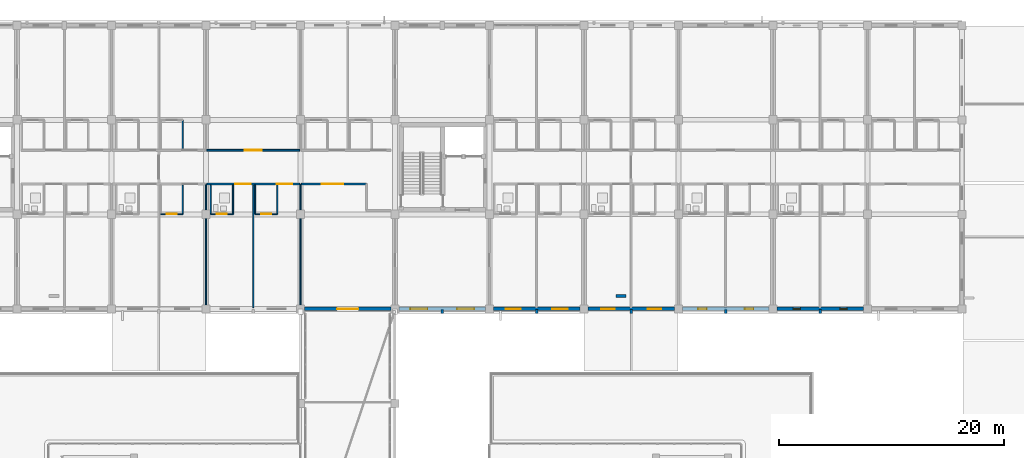
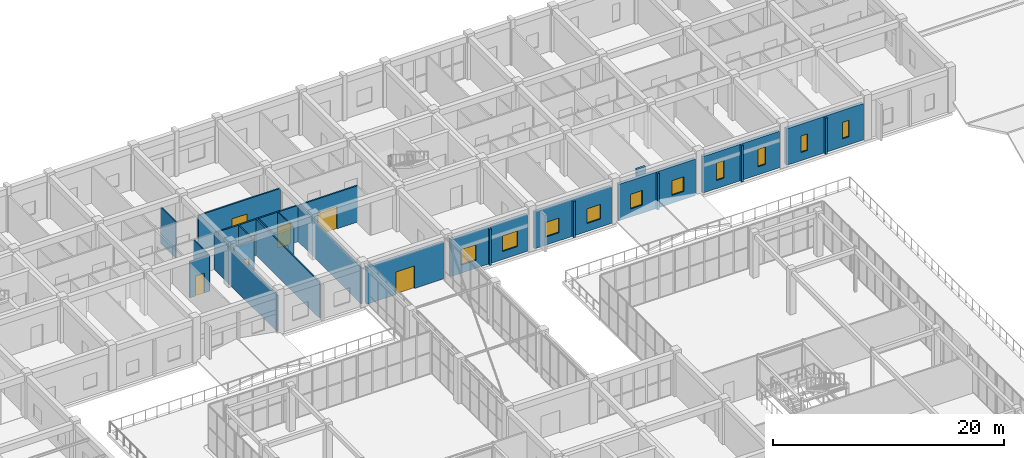
# One storey, part 130 of 158: 27 walls, 10 windows, 8 doors, 18 openings.
"""IFC4 building model written with IfcOpenShell, lengths in metres."""

from ifc_helpers import new_model, si_unit, direction, frame, frame_2d, origin, place, context, subcontext, project, spatial, rectangle, extrude, material, layer, layer_set, type_object, element, fill, save


model = new_model("IFC4")

# Units and contexts
model_context = context("Model", 3, precision=1e-05, world=origin(), true_north=direction((0.0, 1.0)))
body_context = subcontext(model_context, "Body", "Model", "MODEL_VIEW")
ifc_project = project(units=[si_unit("LENGTHUNIT", "METRE"), si_unit("AREAUNIT", "SQUARE_METRE"), si_unit("VOLUMEUNIT", "CUBIC_METRE"), si_unit("PLANEANGLEUNIT", "RADIAN"), si_unit("MASSUNIT", "GRAM", prefix="KILO")], contexts=[model_context])

# Site, building, storey
site_placement = place(None, origin())
site = spatial("IfcSite", under=ifc_project, at=site_placement, CompositionType="ELEMENT")
building_placement = place(site_placement, origin())
building = spatial("IfcBuilding", under=site, at=building_placement, Name="Trelvath General Hospital", CompositionType="ELEMENT")
storey_placement = place(building_placement, frame((0.0, 0.0, 8.10009765625)))
storey = spatial("IfcBuildingStorey", under=building, at=storey_placement, Name="L02", CompositionType="ELEMENT", Elevation=8.10009765625)

# Walls
ifc_material_1 = material(Name="Precast concrete C40/50", Category="concrete")
ifc_layer_1 = layer(ifc_material_1, 0.199951171875)
ifc_layer_set_1 = layer_set([ifc_layer_1], Name="Precast concrete C40/50")
wall_type_1 = type_object("IfcWallType", Name="BriseSoleilRib 200", PredefinedType="ELEMENTEDWALL", material=ifc_layer_set_1)
for number, where, z_axis, x_axis, name in (
    (1, (88.199951171875, 92.324951171875, 0.0), (0.0, 0.0, 1.0), (0.0, -1.0, 0.0), "Precast Concrete Brise-Soleil Rib Fin L02-203"),
    (2, (96.60009765625, 92.324951171875, 0.0), (0.0, 0.0, 1.0), (0.0, -1.0, 0.0), "Precast Concrete Brise-Soleil Rib Fin L02-206"),
    (3, (105.0, 92.324951171875, 0.0), (0.0, 0.0, 1.0), (0.0, -1.0, 0.0), "Precast Concrete Brise-Soleil Rib Fin L02-209"),
    (4, (113.39990234375, 92.324951171875, 0.0), (0.0, 0.0, 1.0), (0.0, -1.0, 0.0), "Precast Concrete Brise-Soleil Rib Fin L02-213"),
    (5, (121.800048828125, 92.324951171875, 0.0), (0.0, 0.0, 1.0), (0.0, -1.0, 0.0), "Precast Concrete Brise-Soleil Rib Fin L02-217"),
):
    element("IfcWall", number, at=place(storey_placement, frame(where, z_axis=z_axis, x_axis=x_axis)), inside=storey, type_object=wall_type_1, Name=name, PredefinedType="ELEMENTEDWALL", context=body_context, shape_type="SweptSolid", body=[
        extrude(rectangle(XDim=0.33984375, YDim=0.199951171875, at=frame_2d((0.169921875, 0.0))), origin(), (0.0, 0.0, 1.0), 3.83984375),
    ])

# Wall, openings, doors
ifc_material_2 = material(Name="Gypsum acoustic steel-stud partition", Category="steel")
ifc_layer_2 = layer(ifc_material_2, 0.14990234375)
ifc_layer_set_2 = layer_set([ifc_layer_2], Name="Gypsum acoustic steel-stud partition")
wall_type_2 = type_object("IfcWallType", Name="ClinicalPartition 150", PredefinedType="PARTITIONING", material=ifc_layer_set_2)
wall_1_placement = place(storey_placement, frame((67.280029296875, 103.5, 0.0), z_axis=(0.0, 0.0, 1.0), x_axis=(1.0, 0.0, 0.0)))
wall_1 = element("IfcWall", 6, at=wall_1_placement, inside=storey, type_object=wall_type_2, Name="Corridor Partition L02-923", PredefinedType="PARTITIONING", context=body_context, shape_type="SweptSolid", body=[
    extrude(rectangle(XDim=8.239990234375, YDim=0.14990234375, at=frame_2d((4.1201171875, 0.0))), origin(), (0.0, 0.0, 1.0), 3.83984375),
])
opening_1_placement = place(wall_1_placement, frame((2.530029296875, 0.0, 0.0)))
opening_1 = element("IfcOpeningElement", 7, at=opening_1_placement, cuts=wall_1, Name="Opening D-2-0747", PredefinedType="OPENING", context=body_context, shape_type="SweptSolid", body=[
    extrude(rectangle(XDim=1.35009765625, YDim=2.25, at=frame_2d((0.675048828125, 1.125))), frame((0.0, 0.0849609375, 0.0), z_axis=(0.0, -1.0, 0.0), x_axis=(1.0, 0.0, 0.0)), (0.0, 0.0, 1.0), 0.169921875),
])
opening_2_placement = place(wall_1_placement, frame((6.22998046875, 0.0, 0.0)))
opening_2 = element("IfcOpeningElement", 8, at=opening_2_placement, cuts=wall_1, Name="Opening D-2-0748", PredefinedType="OPENING", context=body_context, shape_type="SweptSolid", body=[
    extrude(rectangle(XDim=1.35009765625, YDim=2.25, at=frame_2d((0.675048828125, 1.125))), frame((0.0, 0.0849609375, 0.0), z_axis=(0.0, -1.0, 0.0), x_axis=(1.0, 0.0, 0.0)), (0.0, 0.0, 1.0), 0.169921875),
])
ifc_material_3 = material(Name="Airtight isolation bed door")
door_type_1 = type_object("IfcDoorType", Name="Door PatientIso 1350x2250", OperationType="NOTDEFINED", PredefinedType="DOOR", material=ifc_material_3)
door_1_placement = place(opening_1_placement, origin())
door_1 = element("IfcDoor", 9, at=door_1_placement, inside=storey, type_object=door_type_1, Name="Patient Room Door L02-747", OperationType="SINGLE_SWING_LEFT", OverallHeight=2.25, OverallWidth=1.35009765625, PredefinedType="DOOR", context=body_context, shape_type="SweptSolid", body=[
    extrude(rectangle(XDim=1.35009765625, YDim=2.25, at=frame_2d((0.675048828125, 1.125))), frame((0.0, 0.02490234375, 0.0), z_axis=(0.0, -1.0, 0.0), x_axis=(1.0, 0.0, 0.0)), (0.0, 0.0, 1.0), 0.050048828125),
])
fill(opening_1, door_1)
door_2_placement = place(opening_2_placement, origin())
door_2 = element("IfcDoor", 10, at=door_2_placement, inside=storey, type_object=door_type_1, Name="Patient Room Door L02-748", OperationType="SINGLE_SWING_RIGHT", OverallHeight=2.25, OverallWidth=1.35009765625, PredefinedType="DOOR", context=body_context, shape_type="SweptSolid", body=[
    extrude(rectangle(XDim=1.35009765625, YDim=2.25, at=frame_2d((0.675048828125, 1.125))), frame((0.0, 0.02490234375, 0.0), z_axis=(0.0, -1.0, 0.0), x_axis=(1.0, 0.0, 0.0)), (0.0, 0.0, 1.0), 0.050048828125),
])
fill(opening_2, door_2)

# Wall, opening, door
wall_2_placement = place(storey_placement, frame((75.52001953125, 106.5, 0.0), z_axis=(0.0, 0.0, 1.0), x_axis=(-1.0, 0.0, 0.0)))
wall_2 = element("IfcWall", 11, at=wall_2_placement, inside=storey, type_object=wall_type_2, Name="Corridor Partition N L02-931", PredefinedType="PARTITIONING", context=body_context, shape_type="SweptSolid", body=[
    extrude(rectangle(XDim=8.239990234375, YDim=0.14990234375, at=frame_2d((4.1201171875, 0.0))), origin(), (0.0, 0.0, 1.0), 3.83984375),
])
opening_3_placement = place(wall_2_placement, frame((3.3701171875, 0.0, 0.0)))
opening_3 = element("IfcOpeningElement", 12, at=opening_3_placement, cuts=wall_2, Name="Opening D-2-0751", PredefinedType="OPENING", context=body_context, shape_type="SweptSolid", body=[
    extrude(rectangle(XDim=1.5, YDim=2.300048828125, at=frame_2d((0.75, 1.14990234375))), frame((0.0, 0.0849609375, 0.0), z_axis=(0.0, -1.0, 0.0), x_axis=(1.0, 0.0, 0.0)), (0.0, 0.0, 1.0), 0.169921875),
])
ifc_material_4 = material(Name="Glazed aluminium ICU sliding door", Category="aluminium")
door_type_2 = type_object("IfcDoorType", Name="Door ICUSliding 1500x2300", OperationType="SLIDING_TO_LEFT", PredefinedType="DOOR", material=ifc_material_4)
door_3_placement = place(opening_3_placement, origin())
door_3 = element("IfcDoor", 13, at=door_3_placement, inside=storey, type_object=door_type_2, Name="Clinical Room Door L02-751", OperationType="SLIDING_TO_LEFT", OverallHeight=2.300048828125, OverallWidth=1.5, PredefinedType="DOOR", context=body_context, shape_type="SweptSolid", body=[
    extrude(rectangle(XDim=1.5, YDim=2.300048828125, at=frame_2d((0.75, 1.14990234375))), frame((0.0, 0.02490234375, 0.0), z_axis=(0.0, -1.0, 0.0), x_axis=(1.0, 0.0, 0.0)), (0.0, 0.0, 1.0), 0.050048828125),
])
fill(opening_3, door_3)

wall_3_placement = place(storey_placement, frame((75.679931640625, 103.5, 0.0), z_axis=(0.0, 0.0, 1.0), x_axis=(1.0, 0.0, 0.0)))
wall_3 = element("IfcWall", 14, at=wall_3_placement, inside=storey, type_object=wall_type_2, Name="Bridge Lounge Partition L02-934", PredefinedType="PARTITIONING", context=body_context, shape_type="SweptSolid", body=[
    extrude(rectangle(XDim=5.780029296875, YDim=0.14990234375, at=frame_2d((2.89013671875, 0.0))), origin(), (0.0, 0.0, 1.0), 3.83984375),
])
opening_4_placement = place(wall_3_placement, frame((1.830078125, 0.0, 0.0)))
opening_4 = element("IfcOpeningElement", 15, at=opening_4_placement, cuts=wall_3, Name="Opening D-2-0752", PredefinedType="OPENING", context=body_context, shape_type="SweptSolid", body=[
    extrude(rectangle(XDim=1.89990234375, YDim=2.39990234375, at=frame_2d((0.949951171875, 1.199951171875))), frame((0.0, 0.0849609375, 0.0), z_axis=(0.0, -1.0, 0.0), x_axis=(1.0, 0.0, 0.0)), (0.0, 0.0, 1.0), 0.169921875),
])
ifc_material_5 = material(Name="Thermally broken glazed aluminium pair", Category="aluminium")
door_type_3 = type_object("IfcDoorType", Name="Door BridgeEntry 1900x2400", OperationType="DOUBLE_SWING_LEFT", PredefinedType="DOOR", material=ifc_material_5)
door_4_placement = place(opening_4_placement, origin())
door_4 = element("IfcDoor", 16, at=door_4_placement, inside=storey, type_object=door_type_3, Name="Bridge Lounge Door L02-752", OperationType="DOUBLE_SWING_LEFT", OverallHeight=2.39990234375, OverallWidth=1.89990234375, PredefinedType="DOOR", context=body_context, shape_type="SweptSolid", body=[
    extrude(rectangle(XDim=1.89990234375, YDim=2.39990234375, at=frame_2d((0.949951171875, 1.199951171875))), frame((0.0, 0.02490234375, 0.0), z_axis=(0.0, -1.0, 0.0), x_axis=(1.0, 0.0, 0.0)), (0.0, 0.0, 1.0), 0.050048828125),
])
fill(opening_4, door_4)

# Wall
ifc_material_6 = material(Name="Moisture-resistant tile partition")
ifc_layer_3 = layer(ifc_material_6, 0.110107421875)
ifc_layer_set_3 = layer_set([ifc_layer_3], Name="Moisture-resistant tile partition")
wall_type_3 = type_object("IfcWallType", Name="EnSuiteWetWall 110", PredefinedType="PARTITIONING", material=ifc_layer_set_3)
wall_4_placement = place(storey_placement, frame((65.139892578125, 100.820068359375, 0.0), z_axis=(0.0, 0.0, 1.0), x_axis=(0.0, 1.0, 0.0)))
element("IfcWall", 17, at=wall_4_placement, inside=storey, type_object=wall_type_3, Name="En-Suite E Wall L02-910", PredefinedType="PARTITIONING", context=body_context, shape_type="SweptSolid", body=[
    extrude(rectangle(XDim=2.60986328125, YDim=0.110107421875, at=frame_2d((1.304931640625, 0.0))), origin(), (0.0, 0.0, 1.0), 3.83984375),
])

# Wall, opening, door
wall_5_placement = place(storey_placement, frame((63.159912109375, 100.820068359375, 0.0), z_axis=(0.0, 0.0, 1.0), x_axis=(1.0, 0.0, 0.0)))
wall_5 = element("IfcWall", 18, at=wall_5_placement, inside=storey, type_object=wall_type_3, Name="En-Suite Bathroom Partition L02-911", PredefinedType="PARTITIONING", context=body_context, shape_type="SweptSolid", body=[
    extrude(rectangle(XDim=1.97998046875, YDim=0.110107421875, at=frame_2d((0.989990234375, 0.0))), origin(), (0.0, 0.0, 1.0), 3.83984375),
])
opening_5_placement = place(wall_5_placement, frame((0.5400390625, 0.0, 0.0)))
opening_5 = element("IfcOpeningElement", 19, at=opening_5_placement, cuts=wall_5, Name="Opening D-2-0741", PredefinedType="OPENING", context=body_context, shape_type="SweptSolid", body=[
    extrude(rectangle(XDim=0.89990234375, YDim=2.10009765625, at=frame_2d((0.449951171875, 1.050048828125))), frame((0.0, 0.06494140625, 0.0), z_axis=(0.0, -1.0, 0.0), x_axis=(1.0, 0.0, 0.0)), (0.0, 0.0, 1.0), 0.130126953125),
])
ifc_material_7 = material(Name="Moisture-sealed timber leaf", Category="wood")
door_type_4 = type_object("IfcDoorType", Name="Door EnSuite 900x2100", OperationType="NOTDEFINED", PredefinedType="DOOR", material=ifc_material_7)
door_5_placement = place(opening_5_placement, origin())
door_5 = element("IfcDoor", 20, at=door_5_placement, inside=storey, type_object=door_type_4, Name="En-Suite Bathroom Door L02-741", OperationType="SINGLE_SWING_LEFT", OverallHeight=2.10009765625, OverallWidth=0.89990234375, PredefinedType="DOOR", context=body_context, shape_type="SweptSolid", body=[
    extrude(rectangle(XDim=0.89990234375, YDim=2.10009765625, at=frame_2d((0.449951171875, 1.050048828125))), frame((0.0, 0.02490234375, 0.0), z_axis=(0.0, -1.0, 0.0), x_axis=(1.0, 0.0, 0.0)), (0.0, 0.0, 1.0), 0.050048828125),
])
fill(opening_5, door_5)

# Walls
for number, where, z_axis, x_axis, name in (
    (21, (65.139892578125, 106.570068359375, 0.0), (0.0, 0.0, 1.0), (0.0, 1.0, 0.0), "En-Suite E Wall N L02-918"),
    (22, (67.6201171875, 100.820068359375, 0.0), (0.0, 0.0, 1.0), (0.0, 1.0, 0.0), "En-Suite W Wall L02-925"),
    (23, (69.60009765625, 100.820068359375, 0.0), (0.0, 0.0, 1.0), (0.0, 1.0, 0.0), "En-Suite E Wall L02-926"),
):
    element("IfcWall", number, at=place(storey_placement, frame(where, z_axis=z_axis, x_axis=x_axis)), inside=storey, type_object=wall_type_3, Name=name, PredefinedType="PARTITIONING", context=body_context, shape_type="SweptSolid", body=[
        extrude(rectangle(XDim=2.60986328125, YDim=0.110107421875, at=frame_2d((1.304931640625, 0.0))), origin(), (0.0, 0.0, 1.0), 3.83984375),
    ])

# Wall, opening, door
wall_6_placement = place(storey_placement, frame((67.6201171875, 100.820068359375, 0.0), z_axis=(0.0, 0.0, 1.0), x_axis=(1.0, 0.0, 0.0)))
wall_6 = element("IfcWall", 24, at=wall_6_placement, inside=storey, type_object=wall_type_3, Name="En-Suite Bathroom Partition L02-927", PredefinedType="PARTITIONING", context=body_context, shape_type="SweptSolid", body=[
    extrude(rectangle(XDim=1.97998046875, YDim=0.110107421875, at=frame_2d((0.989990234375, 0.0))), origin(), (0.0, 0.0, 1.0), 3.83984375),
])
opening_6_placement = place(wall_6_placement, frame((0.5400390625, 0.0, 0.0)))
opening_6 = element("IfcOpeningElement", 25, at=opening_6_placement, cuts=wall_6, Name="Opening D-2-0749", PredefinedType="OPENING", context=body_context, shape_type="SweptSolid", body=[
    extrude(rectangle(XDim=0.89990234375, YDim=2.10009765625, at=frame_2d((0.449951171875, 1.050048828125))), frame((0.0, 0.06494140625, 0.0), z_axis=(0.0, -1.0, 0.0), x_axis=(1.0, 0.0, 0.0)), (0.0, 0.0, 1.0), 0.130126953125),
])
door_6_placement = place(opening_6_placement, origin())
door_6 = element("IfcDoor", 26, at=door_6_placement, inside=storey, type_object=door_type_4, Name="En-Suite Bathroom Door L02-749", OperationType="SINGLE_SWING_LEFT", OverallHeight=2.10009765625, OverallWidth=0.89990234375, PredefinedType="DOOR", context=body_context, shape_type="SweptSolid", body=[
    extrude(rectangle(XDim=0.89990234375, YDim=2.10009765625, at=frame_2d((0.449951171875, 1.050048828125))), frame((0.0, 0.02490234375, 0.0), z_axis=(0.0, -1.0, 0.0), x_axis=(1.0, 0.0, 0.0)), (0.0, 0.0, 1.0), 0.050048828125),
])
fill(opening_6, door_6)

# Walls
for number, where, z_axis, x_axis, name in (
    (27, (71.56005859375, 100.820068359375, 0.0), (0.0, 0.0, 1.0), (0.0, 1.0, 0.0), "En-Suite W Wall L02-928"),
    (28, (73.5400390625, 100.820068359375, 0.0), (0.0, 0.0, 1.0), (0.0, 1.0, 0.0), "En-Suite E Wall L02-929"),
):
    element("IfcWall", number, at=place(storey_placement, frame(where, z_axis=z_axis, x_axis=x_axis)), inside=storey, type_object=wall_type_3, Name=name, PredefinedType="PARTITIONING", context=body_context, shape_type="SweptSolid", body=[
        extrude(rectangle(XDim=2.60986328125, YDim=0.110107421875, at=frame_2d((1.304931640625, 0.0))), origin(), (0.0, 0.0, 1.0), 3.83984375),
    ])

# Wall, opening, door
wall_7_placement = place(storey_placement, frame((71.56005859375, 100.820068359375, 0.0), z_axis=(0.0, 0.0, 1.0), x_axis=(1.0, 0.0, 0.0)))
wall_7 = element("IfcWall", 29, at=wall_7_placement, inside=storey, type_object=wall_type_3, Name="En-Suite Bathroom Partition L02-930", PredefinedType="PARTITIONING", context=body_context, shape_type="SweptSolid", body=[
    extrude(rectangle(XDim=1.97998046875, YDim=0.110107421875, at=frame_2d((0.989990234375, 0.0))), origin(), (0.0, 0.0, 1.0), 3.83984375),
])
opening_7_placement = place(wall_7_placement, frame((0.5400390625, 0.0, 0.0)))
opening_7 = element("IfcOpeningElement", 30, at=opening_7_placement, cuts=wall_7, Name="Opening D-2-0750", PredefinedType="OPENING", context=body_context, shape_type="SweptSolid", body=[
    extrude(rectangle(XDim=0.89990234375, YDim=2.10009765625, at=frame_2d((0.449951171875, 1.050048828125))), frame((0.0, 0.06494140625, 0.0), z_axis=(0.0, -1.0, 0.0), x_axis=(1.0, 0.0, 0.0)), (0.0, 0.0, 1.0), 0.130126953125),
])
door_7_placement = place(opening_7_placement, origin())
door_7 = element("IfcDoor", 31, at=door_7_placement, inside=storey, type_object=door_type_4, Name="En-Suite Bathroom Door L02-750", OperationType="SINGLE_SWING_RIGHT", OverallHeight=2.10009765625, OverallWidth=0.89990234375, PredefinedType="DOOR", context=body_context, shape_type="SweptSolid", body=[
    extrude(rectangle(XDim=0.89990234375, YDim=2.10009765625, at=frame_2d((0.449951171875, 1.050048828125))), frame((0.0, 0.02490234375, 0.0), z_axis=(0.0, -1.0, 0.0), x_axis=(1.0, 0.0, 0.0)), (0.0, 0.0, 1.0), 0.050048828125),
])
fill(opening_7, door_7)

ifc_material_8 = material(Name="Concrete C35/45", Category="concrete")
ifc_layer_4 = layer(ifc_material_8, 0.2900390625)
ifc_layer_set_4 = layer_set([ifc_layer_4], Name="Concrete C35/45")
wall_type_4 = type_object("IfcWallType", Name="ExtBushHammeredWall 290", PredefinedType="SOLIDWALL", material=ifc_layer_set_4)
wall_8_placement = place(storey_placement, frame((83.64501953125, 92.39990234375, 0.0), z_axis=(0.0, 0.0, 1.0), x_axis=(-1.0, 0.0, 0.0)))
wall_8 = element("IfcWall", 32, at=wall_8_placement, inside=storey, type_object=wall_type_4, Name="Bridge Portal Wall BRG-N-C L02", PredefinedType="SOLIDWALL", context=body_context, shape_type="SweptSolid", body=[
    extrude(rectangle(XDim=7.68994140625, YDim=0.2900390625, at=frame_2d((3.844970703125, 0.0))), origin(), (0.0, 0.0, 1.0), 3.85986328125),
])
opening_8_placement = place(wall_8_placement, frame((2.89501953125, 0.0, 0.0)))
opening_8 = element("IfcOpeningElement", 33, at=opening_8_placement, cuts=wall_8, Name="Opening BP-2-046", PredefinedType="OPENING", context=body_context, shape_type="SweptSolid", body=[
    extrude(rectangle(XDim=1.89990234375, YDim=2.39990234375, at=frame_2d((0.949951171875, 1.199951171875))), frame((0.0, 0.155029296875, 0.0), z_axis=(0.0, -1.0, 0.0), x_axis=(1.0, 0.0, 0.0)), (0.0, 0.0, 1.0), 0.31005859375),
])
door_8_placement = place(opening_8_placement, origin())
door_8 = element("IfcDoor", 34, at=door_8_placement, inside=storey, type_object=door_type_3, Name="Glazed Bridge Portal Door BRG-N-C L02", OperationType="DOUBLE_SWING_LEFT", OverallHeight=2.39990234375, OverallWidth=1.89990234375, PredefinedType="DOOR", context=body_context, shape_type="SweptSolid", body=[
    extrude(rectangle(XDim=1.89990234375, YDim=2.39990234375, at=frame_2d((0.949951171875, 1.199951171875))), frame((0.0, 0.02490234375, 0.0), z_axis=(0.0, -1.0, 0.0), x_axis=(1.0, 0.0, 0.0)), (0.0, 0.0, 1.0), 0.050048828125),
])
fill(opening_8, door_8)

# Wall, openings, windows
ifc_material_9 = material(Name="Concrete C35/45", Category="concrete")
ifc_layer_5 = layer(ifc_material_9, 0.320068359375)
ifc_layer_set_5 = layer_set([ifc_layer_5], Name="Concrete C35/45")
wall_type_5 = type_object("IfcWallType", Name="ExtThermalWall 320", PredefinedType="SOLIDWALL", material=ifc_layer_set_5)
wall_9_placement = place(storey_placement, frame((92.044921875, 92.39990234375, 0.0), z_axis=(0.0, 0.0, 1.0), x_axis=(-1.0, 0.0, 0.0)))
wall_9 = element("IfcWall", 35, at=wall_9_placement, inside=storey, type_object=wall_type_5, Name="Exterior Concrete Wall L02-280", PredefinedType="SOLIDWALL", context=body_context, shape_type="SweptSolid", body=[
    extrude(rectangle(XDim=7.68994140625, YDim=0.320068359375, at=frame_2d((3.844970703125, 0.0))), origin(), (0.0, 0.0, 1.0), 3.85986328125),
])
opening_9_placement = place(wall_9_placement, frame((1.0087890625, 0.0, 0.85009765625)))
opening_9 = element("IfcOpeningElement", 36, at=opening_9_placement, cuts=wall_9, Name="Opening WN-2-437", PredefinedType="OPENING", context=body_context, shape_type="SweptSolid", body=[
    extrude(rectangle(XDim=1.52001953125, YDim=1.64990234375, at=frame_2d((0.760009765625, 0.824951171875))), frame((0.0, 0.169921875, 0.0), z_axis=(0.0, -1.0, 0.0), x_axis=(1.0, 0.0, 0.0)), (0.0, 0.0, 1.0), 0.340087890625),
])
opening_10_placement = place(wall_9_placement, frame((5.161376953125, 0.0, 0.85009765625)))
opening_10 = element("IfcOpeningElement", 37, at=opening_10_placement, cuts=wall_9, Name="Opening WN-2-438", PredefinedType="OPENING", context=body_context, shape_type="SweptSolid", body=[
    extrude(rectangle(XDim=1.52001953125, YDim=1.64990234375, at=frame_2d((0.760009765625, 0.824951171875))), frame((0.0, 0.169921875, 0.0), z_axis=(0.0, -1.0, 0.0), x_axis=(1.0, 0.0, 0.0)), (0.0, 0.0, 1.0), 0.340087890625),
])
ifc_material_10 = material(Name="Low-E laminated glass", Category="glass")
window_type_1 = type_object("IfcWindowType", Name="Window WardNorth 1520x1650", PartitioningType="DOUBLE_PANEL_VERTICAL", PredefinedType="WINDOW", material=ifc_material_10)
window_1_placement = place(opening_9_placement, origin())
window_1 = element("IfcWindow", 38, at=window_1_placement, inside=storey, type_object=window_type_1, Name="Solar Reveal Window L02-437", OverallHeight=1.64990234375, OverallWidth=1.52001953125, PartitioningType="SINGLE_PANEL", PredefinedType="WINDOW", context=body_context, shape_type="SweptSolid", body=[
    extrude(rectangle(XDim=1.52001953125, YDim=1.64990234375, at=frame_2d((0.760009765625, 0.824951171875))), frame((0.0, 0.030029296875, 0.0), z_axis=(0.0, -1.0, 0.0), x_axis=(1.0, 0.0, 0.0)), (0.0, 0.0, 1.0), 0.06005859375),
])
fill(opening_9, window_1)
window_2_placement = place(opening_10_placement, origin())
window_2 = element("IfcWindow", 39, at=window_2_placement, inside=storey, type_object=window_type_1, Name="Solar Reveal Window L02-438", OverallHeight=1.64990234375, OverallWidth=1.52001953125, PartitioningType="SINGLE_PANEL", PredefinedType="WINDOW", context=body_context, shape_type="SweptSolid", body=[
    extrude(rectangle(XDim=1.52001953125, YDim=1.64990234375, at=frame_2d((0.760009765625, 0.824951171875))), frame((0.0, 0.030029296875, 0.0), z_axis=(0.0, -1.0, 0.0), x_axis=(1.0, 0.0, 0.0)), (0.0, 0.0, 1.0), 0.06005859375),
])
fill(opening_10, window_2)

wall_10_placement = place(storey_placement, frame((100.445068359375, 92.39990234375, 0.0), z_axis=(0.0, 0.0, 1.0), x_axis=(-1.0, 0.0, 0.0)))
wall_10 = element("IfcWall", 40, at=wall_10_placement, inside=storey, type_object=wall_type_5, Name="Exterior Concrete Wall L02-283", PredefinedType="SOLIDWALL", context=body_context, shape_type="SweptSolid", body=[
    extrude(rectangle(XDim=7.690185546875, YDim=0.320068359375, at=frame_2d((3.84521484375, 0.0))), origin(), (0.0, 0.0, 1.0), 3.85986328125),
])
opening_11_placement = place(wall_10_placement, frame((1.09375, 0.0, 0.85009765625)))
opening_11 = element("IfcOpeningElement", 41, at=opening_11_placement, cuts=wall_10, Name="Opening WN-2-443", PredefinedType="OPENING", context=body_context, shape_type="SweptSolid", body=[
    extrude(rectangle(XDim=1.35009765625, YDim=1.550048828125, at=frame_2d((0.675048828125, 0.77490234375))), frame((0.0, 0.169921875, 0.0), z_axis=(0.0, -1.0, 0.0), x_axis=(1.0, 0.0, 0.0)), (0.0, 0.0, 1.0), 0.340087890625),
])
opening_12_placement = place(wall_10_placement, frame((5.246337890625, 0.0, 0.85009765625)))
opening_12 = element("IfcOpeningElement", 42, at=opening_12_placement, cuts=wall_10, Name="Opening WN-2-444", PredefinedType="OPENING", context=body_context, shape_type="SweptSolid", body=[
    extrude(rectangle(XDim=1.35009765625, YDim=1.550048828125, at=frame_2d((0.675048828125, 0.77490234375))), frame((0.0, 0.169921875, 0.0), z_axis=(0.0, -1.0, 0.0), x_axis=(1.0, 0.0, 0.0)), (0.0, 0.0, 1.0), 0.340087890625),
])
ifc_material_11 = material(Name="Low-E laminated glass", Category="glass")
window_type_2 = type_object("IfcWindowType", Name="Window WardSouth 1350x1550", PartitioningType="SINGLE_PANEL", PredefinedType="WINDOW", material=ifc_material_11)
window_3_placement = place(opening_11_placement, origin())
window_3 = element("IfcWindow", 43, at=window_3_placement, inside=storey, type_object=window_type_2, Name="Solar Reveal Window L02-443", OverallHeight=1.550048828125, OverallWidth=1.35009765625, PartitioningType="SINGLE_PANEL", PredefinedType="WINDOW", context=body_context, shape_type="SweptSolid", body=[
    extrude(rectangle(XDim=1.35009765625, YDim=1.550048828125, at=frame_2d((0.675048828125, 0.77490234375))), frame((0.0, 0.030029296875, 0.0), z_axis=(0.0, -1.0, 0.0), x_axis=(1.0, 0.0, 0.0)), (0.0, 0.0, 1.0), 0.06005859375),
])
fill(opening_11, window_3)
window_4_placement = place(opening_12_placement, origin())
window_4 = element("IfcWindow", 44, at=window_4_placement, inside=storey, type_object=window_type_2, Name="Solar Reveal Window L02-444", OverallHeight=1.550048828125, OverallWidth=1.35009765625, PartitioningType="SINGLE_PANEL", PredefinedType="WINDOW", context=body_context, shape_type="SweptSolid", body=[
    extrude(rectangle(XDim=1.35009765625, YDim=1.550048828125, at=frame_2d((0.675048828125, 0.77490234375))), frame((0.0, 0.030029296875, 0.0), z_axis=(0.0, -1.0, 0.0), x_axis=(1.0, 0.0, 0.0)), (0.0, 0.0, 1.0), 0.06005859375),
])
fill(opening_12, window_4)

wall_11_placement = place(storey_placement, frame((108.844970703125, 92.39990234375, 0.0), z_axis=(0.0, 0.0, 1.0), x_axis=(-1.0, 0.0, 0.0)))
wall_11 = element("IfcWall", 45, at=wall_11_placement, inside=storey, type_object=wall_type_5, Name="Exterior Concrete Wall L02-286", PredefinedType="SOLIDWALL", context=body_context, shape_type="SweptSolid", body=[
    extrude(rectangle(XDim=7.68994140625, YDim=0.320068359375, at=frame_2d((3.844970703125, 0.0))), origin(), (0.0, 0.0, 1.0), 3.85986328125),
])
opening_13_placement = place(wall_11_placement, frame((1.168701171875, 0.0, 0.85009765625)))
opening_13 = element("IfcOpeningElement", 46, at=opening_13_placement, cuts=wall_11, Name="Opening WN-2-449", PredefinedType="OPENING", context=body_context, shape_type="SweptSolid", body=[
    extrude(rectangle(XDim=1.199951171875, YDim=1.550048828125, at=frame_2d((0.60009765625, 0.77490234375))), frame((0.0, 0.169921875, 0.0), z_axis=(0.0, -1.0, 0.0), x_axis=(1.0, 0.0, 0.0)), (0.0, 0.0, 1.0), 0.340087890625),
])
opening_14_placement = place(wall_11_placement, frame((5.3212890625, 0.0, 0.85009765625)))
opening_14 = element("IfcOpeningElement", 47, at=opening_14_placement, cuts=wall_11, Name="Opening WN-2-450", PredefinedType="OPENING", context=body_context, shape_type="SweptSolid", body=[
    extrude(rectangle(XDim=1.199951171875, YDim=1.550048828125, at=frame_2d((0.60009765625, 0.77490234375))), frame((0.0, 0.169921875, 0.0), z_axis=(0.0, -1.0, 0.0), x_axis=(1.0, 0.0, 0.0)), (0.0, 0.0, 1.0), 0.340087890625),
])
ifc_material_12 = material(Name="Low-E laminated glass", Category="glass")
window_type_3 = type_object("IfcWindowType", Name="Window WardSouth 1200x1550", PartitioningType="SINGLE_PANEL", PredefinedType="WINDOW", material=ifc_material_12)
window_5_placement = place(opening_13_placement, origin())
window_5 = element("IfcWindow", 48, at=window_5_placement, inside=storey, type_object=window_type_3, Name="Solar Reveal Window L02-449", OverallHeight=1.550048828125, OverallWidth=1.199951171875, PartitioningType="SINGLE_PANEL", PredefinedType="WINDOW", context=body_context, shape_type="SweptSolid", body=[
    extrude(rectangle(XDim=1.199951171875, YDim=1.550048828125, at=frame_2d((0.60009765625, 0.77490234375))), frame((0.0, 0.030029296875, 0.0), z_axis=(0.0, -1.0, 0.0), x_axis=(1.0, 0.0, 0.0)), (0.0, 0.0, 1.0), 0.06005859375),
])
fill(opening_13, window_5)
window_6_placement = place(opening_14_placement, origin())
window_6 = element("IfcWindow", 49, at=window_6_placement, inside=storey, type_object=window_type_3, Name="Solar Reveal Window L02-450", OverallHeight=1.550048828125, OverallWidth=1.199951171875, PartitioningType="SINGLE_PANEL", PredefinedType="WINDOW", context=body_context, shape_type="SweptSolid", body=[
    extrude(rectangle(XDim=1.199951171875, YDim=1.550048828125, at=frame_2d((0.60009765625, 0.77490234375))), frame((0.0, 0.030029296875, 0.0), z_axis=(0.0, -1.0, 0.0), x_axis=(1.0, 0.0, 0.0)), (0.0, 0.0, 1.0), 0.06005859375),
])
fill(opening_14, window_6)

wall_12_placement = place(storey_placement, frame((117.2451171875, 92.39990234375, 0.0), z_axis=(0.0, 0.0, 1.0), x_axis=(-1.0, 0.0, 0.0)))
wall_12 = element("IfcWall", 50, at=wall_12_placement, inside=storey, type_object=wall_type_5, Name="Exterior Concrete Wall L02-290", PredefinedType="SOLIDWALL", context=body_context, shape_type="SweptSolid", body=[
    extrude(rectangle(XDim=7.690185546875, YDim=0.320068359375, at=frame_2d((3.84521484375, 0.0))), origin(), (0.0, 0.0, 1.0), 3.85986328125),
])
opening_15_placement = place(wall_12_placement, frame((1.393798828125, 0.0, 0.85009765625)))
opening_15 = element("IfcOpeningElement", 51, at=opening_15_placement, cuts=wall_12, Name="Opening WN-2-457", PredefinedType="OPENING", context=body_context, shape_type="SweptSolid", body=[
    extrude(rectangle(XDim=0.75, YDim=1.85009765625, at=frame_2d((0.375, 0.925048828125))), frame((0.0, 0.169921875, 0.0), z_axis=(0.0, -1.0, 0.0), x_axis=(1.0, 0.0, 0.0)), (0.0, 0.0, 1.0), 0.340087890625),
])
opening_16_placement = place(wall_12_placement, frame((5.54638671875, 0.0, 0.85009765625)))
opening_16 = element("IfcOpeningElement", 52, at=opening_16_placement, cuts=wall_12, Name="Opening WN-2-458", PredefinedType="OPENING", context=body_context, shape_type="SweptSolid", body=[
    extrude(rectangle(XDim=0.75, YDim=1.85009765625, at=frame_2d((0.375, 0.925048828125))), frame((0.0, 0.169921875, 0.0), z_axis=(0.0, -1.0, 0.0), x_axis=(1.0, 0.0, 0.0)), (0.0, 0.0, 1.0), 0.340087890625),
])
ifc_material_13 = material(Name="Low-E laminated glass", Category="glass")
window_type_4 = type_object("IfcWindowType", Name="Window SunSlot 750x1850", PartitioningType="SINGLE_PANEL", PredefinedType="WINDOW", material=ifc_material_13)
window_7_placement = place(opening_15_placement, origin())
window_7 = element("IfcWindow", 53, at=window_7_placement, inside=storey, type_object=window_type_4, Name="Solar Reveal Window L02-457", OverallHeight=1.85009765625, OverallWidth=0.75, PartitioningType="SINGLE_PANEL", PredefinedType="WINDOW", context=body_context, shape_type="SweptSolid", body=[
    extrude(rectangle(XDim=0.75, YDim=1.85009765625, at=frame_2d((0.375, 0.925048828125))), frame((0.0, 0.030029296875, 0.0), z_axis=(0.0, -1.0, 0.0), x_axis=(1.0, 0.0, 0.0)), (0.0, 0.0, 1.0), 0.06005859375),
])
fill(opening_15, window_7)
window_8_placement = place(opening_16_placement, origin())
window_8 = element("IfcWindow", 54, at=window_8_placement, inside=storey, type_object=window_type_4, Name="Solar Reveal Window L02-458", OverallHeight=1.85009765625, OverallWidth=0.75, PartitioningType="SINGLE_PANEL", PredefinedType="WINDOW", context=body_context, shape_type="SweptSolid", body=[
    extrude(rectangle(XDim=0.75, YDim=1.85009765625, at=frame_2d((0.375, 0.925048828125))), frame((0.0, 0.030029296875, 0.0), z_axis=(0.0, -1.0, 0.0), x_axis=(1.0, 0.0, 0.0)), (0.0, 0.0, 1.0), 0.06005859375),
])
fill(opening_16, window_8)

wall_13_placement = place(storey_placement, frame((125.64501953125, 92.39990234375, 0.0), z_axis=(0.0, 0.0, 1.0), x_axis=(-1.0, 0.0, 0.0)))
wall_13 = element("IfcWall", 55, at=wall_13_placement, inside=storey, type_object=wall_type_5, Name="Exterior Concrete Wall L02-294", PredefinedType="SOLIDWALL", context=body_context, shape_type="SweptSolid", body=[
    extrude(rectangle(XDim=7.68994140625, YDim=0.320068359375, at=frame_2d((3.844970703125, 0.0))), origin(), (0.0, 0.0, 1.0), 3.85986328125),
])
opening_17_placement = place(wall_13_placement, frame((1.443603515625, 0.0, 0.85009765625)))
opening_17 = element("IfcOpeningElement", 56, at=opening_17_placement, cuts=wall_13, Name="Opening WN-2-465", PredefinedType="OPENING", context=body_context, shape_type="SweptSolid", body=[
    extrude(rectangle(XDim=0.64990234375, YDim=1.75, at=frame_2d((0.324951171875, 0.875))), frame((0.0, 0.169921875, 0.0), z_axis=(0.0, -1.0, 0.0), x_axis=(1.0, 0.0, 0.0)), (0.0, 0.0, 1.0), 0.340087890625),
])
opening_18_placement = place(wall_13_placement, frame((5.59619140625, 0.0, 0.85009765625)))
opening_18 = element("IfcOpeningElement", 57, at=opening_18_placement, cuts=wall_13, Name="Opening WN-2-466", PredefinedType="OPENING", context=body_context, shape_type="SweptSolid", body=[
    extrude(rectangle(XDim=0.64990234375, YDim=1.75, at=frame_2d((0.324951171875, 0.875))), frame((0.0, 0.169921875, 0.0), z_axis=(0.0, -1.0, 0.0), x_axis=(1.0, 0.0, 0.0)), (0.0, 0.0, 1.0), 0.340087890625),
])
ifc_material_14 = material(Name="Low-E laminated glass", Category="glass")
window_type_5 = type_object("IfcWindowType", Name="Window SunSlot 650x1750", PartitioningType="SINGLE_PANEL", PredefinedType="WINDOW", material=ifc_material_14)
window_9_placement = place(opening_17_placement, origin())
window_9 = element("IfcWindow", 58, at=window_9_placement, inside=storey, type_object=window_type_5, Name="Solar Reveal Window L02-465", OverallHeight=1.75, OverallWidth=0.64990234375, PartitioningType="SINGLE_PANEL", PredefinedType="WINDOW", context=body_context, shape_type="SweptSolid", body=[
    extrude(rectangle(XDim=0.64990234375, YDim=1.75, at=frame_2d((0.324951171875, 0.875))), frame((0.0, 0.030029296875, 0.0), z_axis=(0.0, -1.0, 0.0), x_axis=(1.0, 0.0, 0.0)), (0.0, 0.0, 1.0), 0.06005859375),
])
fill(opening_17, window_9)
window_10_placement = place(opening_18_placement, origin())
window_10 = element("IfcWindow", 59, at=window_10_placement, inside=storey, type_object=window_type_5, Name="Solar Reveal Window L02-466", OverallHeight=1.75, OverallWidth=0.64990234375, PartitioningType="SINGLE_PANEL", PredefinedType="WINDOW", context=body_context, shape_type="SweptSolid", body=[
    extrude(rectangle(XDim=0.64990234375, YDim=1.75, at=frame_2d((0.324951171875, 0.875))), frame((0.0, 0.030029296875, 0.0), z_axis=(0.0, -1.0, 0.0), x_axis=(1.0, 0.0, 0.0)), (0.0, 0.0, 1.0), 0.06005859375),
])
fill(opening_18, window_10)

# Walls
ifc_material_15 = material(Name="Masonry service chase blockwork", Category="masonry")
ifc_layer_6 = layer(ifc_material_15, 0.239990234375)
ifc_layer_set_6 = layer_set([ifc_layer_6], Name="Masonry service chase blockwork")
wall_type_6 = type_object("IfcWallType", Name="PlumbingChaseWall 240", PredefinedType="PLUMBINGWALL", material=ifc_layer_set_6)
wall_14_placement = place(storey_placement, frame((103.64990234375, 93.550048828125, 0.0), z_axis=(0.0, 0.0, 1.0), x_axis=(1.0, 0.0, 0.0)))
element("IfcWall", 60, at=wall_14_placement, inside=storey, type_object=wall_type_6, Name="Medical Gas Plumbing Chase L02-975", PredefinedType="PLUMBINGWALL", context=body_context, shape_type="SweptSolid", body=[
    extrude(rectangle(XDim=0.900146484375, YDim=0.239990234375, at=frame_2d((0.4501953125, 0.0))), origin(), (0.0, 0.0, 1.0), 3.83984375),
])
ifc_material_16 = material(Name="Gypsum acoustic steel-stud partition", Category="steel")
ifc_layer_7 = layer(ifc_material_16, 0.1298828125)
ifc_layer_set_7 = layer_set([ifc_layer_7], Name="Gypsum acoustic steel-stud partition")
wall_type_7 = type_object("IfcWallType", Name="WardPartition 130", PredefinedType="PARTITIONING", material=ifc_layer_set_7)
wall_15_placement = place(storey_placement, frame((67.199951171875, 92.5400390625, 0.0), z_axis=(0.0, 0.0, 1.0), x_axis=(0.0, 1.0, 0.0)))
element("IfcWall", 61, at=wall_15_placement, inside=storey, type_object=wall_type_7, Name="Inter-Bay Ward Partition S L02-921", PredefinedType="PARTITIONING", context=body_context, shape_type="SweptSolid", body=[
    extrude(rectangle(XDim=10.93994140625, YDim=0.1298828125, at=frame_2d((5.469970703125, 0.0))), origin(), (0.0, 0.0, 1.0), 3.83984375),
])
wall_16_placement = place(storey_placement, frame((71.39990234375, 92.5, 0.0), z_axis=(0.0, 0.0, 1.0), x_axis=(0.0, 1.0, 0.0)))
element("IfcWall", 62, at=wall_16_placement, inside=storey, type_object=wall_type_7, Name="Room Dividing Partition S L02-924", PredefinedType="PARTITIONING", context=body_context, shape_type="SweptSolid", body=[
    extrude(rectangle(XDim=10.929931640625, YDim=0.1298828125, at=frame_2d((5.46484375, 0.0))), origin(), (0.0, 0.0, 1.0), 3.83984375),
])
wall_17_placement = place(storey_placement, frame((75.60009765625, 92.5400390625, 0.0), z_axis=(0.0, 0.0, 1.0), x_axis=(0.0, 1.0, 0.0)))
element("IfcWall", 63, at=wall_17_placement, inside=storey, type_object=wall_type_7, Name="Inter-Bay Ward Partition S L02-932", PredefinedType="PARTITIONING", context=body_context, shape_type="SweptSolid", body=[
    extrude(rectangle(XDim=10.93994140625, YDim=0.1298828125, at=frame_2d((5.469970703125, 0.0))), origin(), (0.0, 0.0, 1.0), 3.83984375),
])

save(model, "model.ifc")
